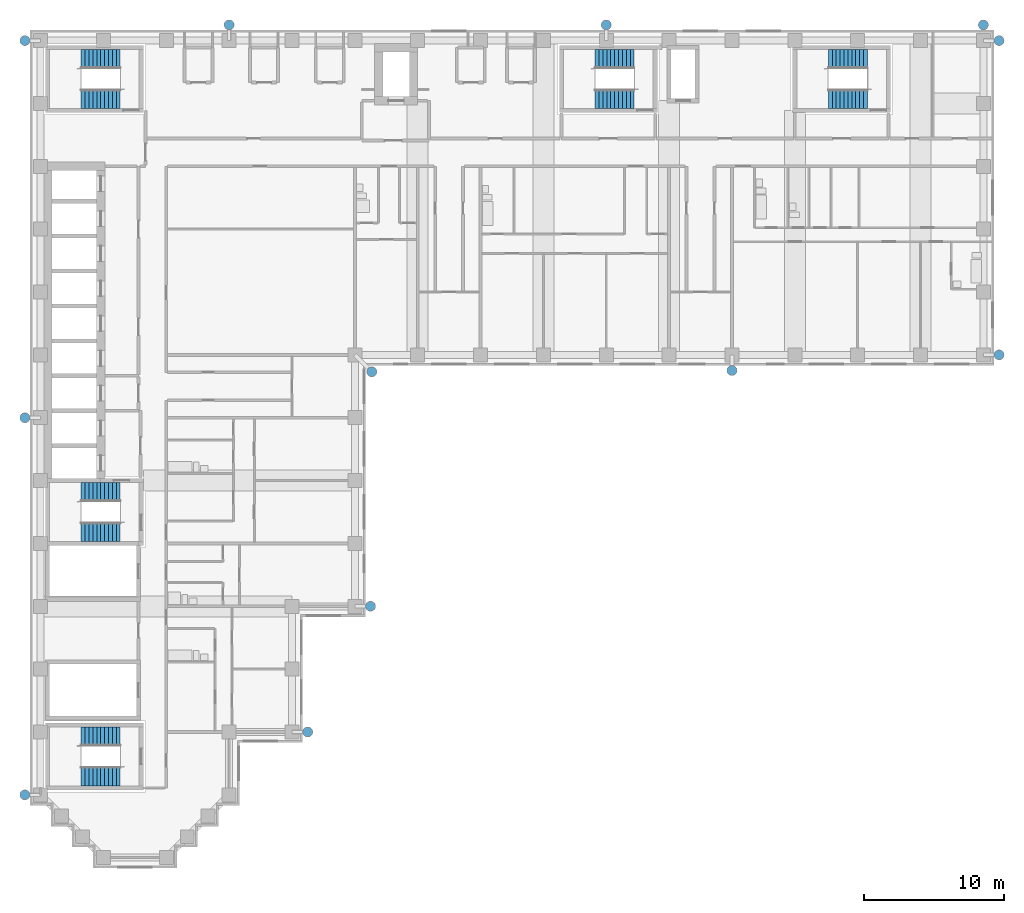
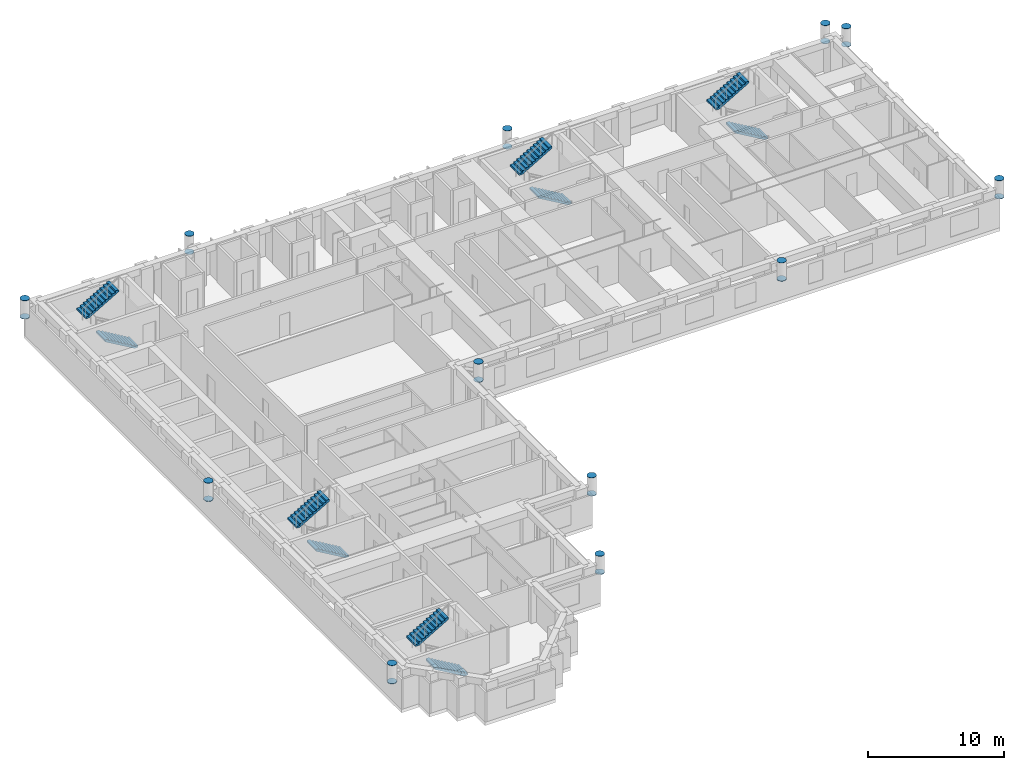
# One storey, part 13 of 15: 24 discrete accessories, 10 stair flights, 5 elements without a shape of their own.
"""IFC4 building model written with IfcOpenShell, lengths in metres."""

from ifc_helpers import new_model, si_unit, direction, frame, origin, origin_2d, place, context, subcontext, project, spatial, polyline, circle, outline, extrude, material, material_profile, profile_set, type_object, element, aggregate, save


model = new_model("IFC4")

# Units and contexts
model_context = context("Model", 3, precision=1e-05, world=origin(), true_north=direction((0.0, 1.0)))
body_context = subcontext(model_context, "Body", "Model", "MODEL_VIEW")
ifc_project = project(units=[si_unit("LENGTHUNIT", "METRE"), si_unit("AREAUNIT", "SQUARE_METRE"), si_unit("VOLUMEUNIT", "CUBIC_METRE"), si_unit("PLANEANGLEUNIT", "RADIAN"), si_unit("MASSUNIT", "GRAM", prefix="KILO")], contexts=[model_context])

# Site, building, storey
site_placement = place(None, origin())
site = spatial("IfcSite", under=ifc_project, at=site_placement, CompositionType="ELEMENT")
building_placement = place(site_placement, origin())
building = spatial("IfcBuilding", under=site, at=building_placement, Name="Firuza Court", CompositionType="ELEMENT")
storey_placement = place(building_placement, frame((0.0, 0.0, 137.60009765625)))
storey = spatial("IfcBuildingStorey", under=building, at=storey_placement, Name="L34", CompositionType="ELEMENT", Elevation=137.60009765625)

# Stair, stair flights
ifc_material_1 = material(Name="Concrete C40/50 precast", Category="concrete")
stair_type = type_object("IfcStairType", Name="Stair 1350 x 3600 2 flights", PredefinedType="HALF_TURN_STAIR", material=ifc_material_1)
stair_1_placement = place(storey_placement, origin())
stair_1 = element("IfcStair", 1, at=stair_1_placement, inside=storey, type_object=stair_type, Name="Stair 1 L34", PredefinedType="HALF_TURN_STAIR")
ifc_material_2 = material(Name="Concrete C40/50 precast", Category="concrete")
stair_flight_type = type_object("IfcStairFlightType", Name="Flight 1350 riser 163.6", PredefinedType="STRAIGHT", material=ifc_material_2)
stair_flight_1_placement = place(storey_placement, frame((42.5, 54.324951171875, 0.0), z_axis=(0.0, 0.0, 1.0), x_axis=(-1.0, 0.0, 0.0)))
stair_flight_1 = element("IfcStairFlight", 2, at=stair_flight_1_placement, type_object=stair_flight_type, Name="S1 flight 1", NumberOfRisers=11, NumberOfTreads=10, PredefinedType="STRAIGHT", RiserHeight=0.163636364, TreadLength=0.28, context=body_context, shape_type="SweptSolid", body=[
    extrude(outline(polyline([(0.0, 0.0), (0.0, 0.16357421875), (0.280029296875, 0.16357421875), (0.280029296875, 0.327392578125), (0.56005859375, 0.327392578125), (0.56005859375, 0.490966796875), (0.840087890625, 0.490966796875), (0.840087890625, 0.654541015625), (1.1201171875, 0.654541015625), (1.1201171875, 0.818115234375), (1.39990234375, 0.818115234375), (1.39990234375, 0.98193359375), (1.679931640625, 0.98193359375), (1.679931640625, 1.1455078125), (1.9599609375, 1.1455078125), (1.9599609375, 1.30908203125), (2.239990234375, 1.30908203125), (2.239990234375, 1.47265625), (2.52001953125, 1.47265625), (2.52001953125, 1.636474609375), (2.800048828125, 1.636474609375), (2.800048828125, 1.800048828125), (2.800048828125, 1.462646484375), (0.297119140625, 0.0), (0.0, 0.0)])), frame((0.0, 0.675048828125, 0.0), z_axis=(0.0, -1.0, 0.0), x_axis=(1.0, 0.0, 0.0)), (0.0, 0.0, 1.0), 1.35009765625),
])
stair_flight_2_placement = place(storey_placement, frame((39.699951171875, 57.175048828125, 1.7998046875), z_axis=(0.0, 0.0, 1.0), x_axis=(1.0, 0.0, 0.0)))
stair_flight_2 = element("IfcStairFlight", 3, at=stair_flight_2_placement, type_object=stair_flight_type, Name="S1 flight 2", NumberOfRisers=11, NumberOfTreads=10, PredefinedType="STRAIGHT", RiserHeight=0.163636364, TreadLength=0.28, context=body_context, shape_type="SweptSolid", body=[
    extrude(outline(polyline([(0.0, 0.0), (0.0, 0.16357421875), (0.280029296875, 0.16357421875), (0.280029296875, 0.327392578125), (0.56005859375, 0.327392578125), (0.56005859375, 0.490966796875), (0.840087890625, 0.490966796875), (0.840087890625, 0.654541015625), (1.1201171875, 0.654541015625), (1.1201171875, 0.818115234375), (1.39990234375, 0.818115234375), (1.39990234375, 0.98193359375), (1.679931640625, 0.98193359375), (1.679931640625, 1.1455078125), (1.9599609375, 1.1455078125), (1.9599609375, 1.30908203125), (2.239990234375, 1.30908203125), (2.239990234375, 1.47265625), (2.52001953125, 1.47265625), (2.52001953125, 1.636474609375), (2.800048828125, 1.636474609375), (2.800048828125, 1.800048828125), (2.800048828125, 1.462646484375), (0.297119140625, 0.0), (0.0, 0.0)])), frame((0.0, 0.675048828125, 0.0), z_axis=(0.0, -1.0, 0.0), x_axis=(1.0, 0.0, 0.0)), (0.0, 0.0, 1.0), 1.35009765625),
])
aggregate(stair_1, [stair_flight_1, stair_flight_2])

stair_2_placement = place(storey_placement, origin())
stair_2 = element("IfcStair", 4, at=stair_2_placement, inside=storey, type_object=stair_type, Name="Stair 2 L34", PredefinedType="HALF_TURN_STAIR")
stair_flight_3_placement = place(storey_placement, frame((5.699951171875, 23.324951171875, 0.0), z_axis=(0.0, 0.0, 1.0), x_axis=(-1.0, 0.0, 0.0)))
stair_flight_3 = element("IfcStairFlight", 5, at=stair_flight_3_placement, type_object=stair_flight_type, Name="S2 flight 1", NumberOfRisers=11, NumberOfTreads=10, PredefinedType="STRAIGHT", RiserHeight=0.163636364, TreadLength=0.28, context=body_context, shape_type="SweptSolid", body=[
    extrude(outline(polyline([(0.0, 0.0), (0.0, 0.16357421875), (0.280029296875, 0.16357421875), (0.280029296875, 0.327392578125), (0.56005859375, 0.327392578125), (0.56005859375, 0.490966796875), (0.840087890625, 0.490966796875), (0.840087890625, 0.654541015625), (1.1201171875, 0.654541015625), (1.1201171875, 0.818115234375), (1.39990234375, 0.818115234375), (1.39990234375, 0.98193359375), (1.679931640625, 0.98193359375), (1.679931640625, 1.1455078125), (1.9599609375, 1.1455078125), (1.9599609375, 1.30908203125), (2.239990234375, 1.30908203125), (2.239990234375, 1.47265625), (2.52001953125, 1.47265625), (2.52001953125, 1.636474609375), (2.800048828125, 1.636474609375), (2.800048828125, 1.800048828125), (2.800048828125, 1.462646484375), (0.297119140625, 0.0), (0.0, 0.0)])), frame((0.0, 0.675048828125, 0.0), z_axis=(0.0, -1.0, 0.0), x_axis=(1.0, 0.0, 0.0)), (0.0, 0.0, 1.0), 1.35009765625),
])
stair_flight_4_placement = place(storey_placement, frame((2.89990234375, 26.175048828125, 1.7998046875), z_axis=(0.0, 0.0, 1.0), x_axis=(1.0, 0.0, 0.0)))
stair_flight_4 = element("IfcStairFlight", 6, at=stair_flight_4_placement, type_object=stair_flight_type, Name="S2 flight 2", NumberOfRisers=11, NumberOfTreads=10, PredefinedType="STRAIGHT", RiserHeight=0.163636364, TreadLength=0.28, context=body_context, shape_type="SweptSolid", body=[
    extrude(outline(polyline([(0.0, 0.0), (0.0, 0.16357421875), (0.280029296875, 0.16357421875), (0.280029296875, 0.327392578125), (0.56005859375, 0.327392578125), (0.56005859375, 0.490966796875), (0.840087890625, 0.490966796875), (0.840087890625, 0.654541015625), (1.1201171875, 0.654541015625), (1.1201171875, 0.818115234375), (1.39990234375, 0.818115234375), (1.39990234375, 0.98193359375), (1.679931640625, 0.98193359375), (1.679931640625, 1.1455078125), (1.9599609375, 1.1455078125), (1.9599609375, 1.30908203125), (2.239990234375, 1.30908203125), (2.239990234375, 1.47265625), (2.52001953125, 1.47265625), (2.52001953125, 1.636474609375), (2.800048828125, 1.636474609375), (2.800048828125, 1.800048828125), (2.800048828125, 1.462646484375), (0.297119140625, 0.0), (0.0, 0.0)])), frame((0.0, 0.675048828125, 0.0), z_axis=(0.0, -1.0, 0.0), x_axis=(1.0, 0.0, 0.0)), (0.0, 0.0, 1.0), 1.35009765625),
])
aggregate(stair_2, [stair_flight_3, stair_flight_4])

stair_3_placement = place(storey_placement, origin())
stair_3 = element("IfcStair", 7, at=stair_3_placement, inside=storey, type_object=stair_type, Name="Stair 3 L34", PredefinedType="HALF_TURN_STAIR")
stair_flight_5_placement = place(storey_placement, frame((5.699951171875, 54.324951171875, 0.0), z_axis=(0.0, 0.0, 1.0), x_axis=(-1.0, 0.0, 0.0)))
stair_flight_5 = element("IfcStairFlight", 8, at=stair_flight_5_placement, type_object=stair_flight_type, Name="S3 flight 1", NumberOfRisers=11, NumberOfTreads=10, PredefinedType="STRAIGHT", RiserHeight=0.163636364, TreadLength=0.28, context=body_context, shape_type="SweptSolid", body=[
    extrude(outline(polyline([(0.0, 0.0), (0.0, 0.16357421875), (0.280029296875, 0.16357421875), (0.280029296875, 0.327392578125), (0.56005859375, 0.327392578125), (0.56005859375, 0.490966796875), (0.840087890625, 0.490966796875), (0.840087890625, 0.654541015625), (1.1201171875, 0.654541015625), (1.1201171875, 0.818115234375), (1.39990234375, 0.818115234375), (1.39990234375, 0.98193359375), (1.679931640625, 0.98193359375), (1.679931640625, 1.1455078125), (1.9599609375, 1.1455078125), (1.9599609375, 1.30908203125), (2.239990234375, 1.30908203125), (2.239990234375, 1.47265625), (2.52001953125, 1.47265625), (2.52001953125, 1.636474609375), (2.800048828125, 1.636474609375), (2.800048828125, 1.800048828125), (2.800048828125, 1.462646484375), (0.297119140625, 0.0), (0.0, 0.0)])), frame((0.0, 0.675048828125, 0.0), z_axis=(0.0, -1.0, 0.0), x_axis=(1.0, 0.0, 0.0)), (0.0, 0.0, 1.0), 1.35009765625),
])
stair_flight_6_placement = place(storey_placement, frame((2.89990234375, 57.175048828125, 1.7998046875), z_axis=(0.0, 0.0, 1.0), x_axis=(1.0, 0.0, 0.0)))
stair_flight_6 = element("IfcStairFlight", 9, at=stair_flight_6_placement, type_object=stair_flight_type, Name="S3 flight 2", NumberOfRisers=11, NumberOfTreads=10, PredefinedType="STRAIGHT", RiserHeight=0.163636364, TreadLength=0.28, context=body_context, shape_type="SweptSolid", body=[
    extrude(outline(polyline([(0.0, 0.0), (0.0, 0.16357421875), (0.280029296875, 0.16357421875), (0.280029296875, 0.327392578125), (0.56005859375, 0.327392578125), (0.56005859375, 0.490966796875), (0.840087890625, 0.490966796875), (0.840087890625, 0.654541015625), (1.1201171875, 0.654541015625), (1.1201171875, 0.818115234375), (1.39990234375, 0.818115234375), (1.39990234375, 0.98193359375), (1.679931640625, 0.98193359375), (1.679931640625, 1.1455078125), (1.9599609375, 1.1455078125), (1.9599609375, 1.30908203125), (2.239990234375, 1.30908203125), (2.239990234375, 1.47265625), (2.52001953125, 1.47265625), (2.52001953125, 1.636474609375), (2.800048828125, 1.636474609375), (2.800048828125, 1.800048828125), (2.800048828125, 1.462646484375), (0.297119140625, 0.0), (0.0, 0.0)])), frame((0.0, 0.675048828125, 0.0), z_axis=(0.0, -1.0, 0.0), x_axis=(1.0, 0.0, 0.0)), (0.0, 0.0, 1.0), 1.35009765625),
])
aggregate(stair_3, [stair_flight_5, stair_flight_6])

stair_4_placement = place(storey_placement, origin())
stair_4 = element("IfcStair", 10, at=stair_4_placement, inside=storey, type_object=stair_type, Name="Stair 4 L34", PredefinedType="HALF_TURN_STAIR")
stair_flight_7_placement = place(storey_placement, frame((59.199951171875, 54.324951171875, 0.0), z_axis=(0.0, 0.0, 1.0), x_axis=(-1.0, 0.0, 0.0)))
stair_flight_7 = element("IfcStairFlight", 11, at=stair_flight_7_placement, type_object=stair_flight_type, Name="S4 flight 1", NumberOfRisers=11, NumberOfTreads=10, PredefinedType="STRAIGHT", RiserHeight=0.163636364, TreadLength=0.28, context=body_context, shape_type="SweptSolid", body=[
    extrude(outline(polyline([(0.0, 0.0), (0.0, 0.16357421875), (0.280029296875, 0.16357421875), (0.280029296875, 0.327392578125), (0.56005859375, 0.327392578125), (0.56005859375, 0.490966796875), (0.840087890625, 0.490966796875), (0.840087890625, 0.654541015625), (1.1201171875, 0.654541015625), (1.1201171875, 0.818115234375), (1.39990234375, 0.818115234375), (1.39990234375, 0.98193359375), (1.679931640625, 0.98193359375), (1.679931640625, 1.1455078125), (1.9599609375, 1.1455078125), (1.9599609375, 1.30908203125), (2.239990234375, 1.30908203125), (2.239990234375, 1.47265625), (2.52001953125, 1.47265625), (2.52001953125, 1.636474609375), (2.800048828125, 1.636474609375), (2.800048828125, 1.800048828125), (2.800048828125, 1.462646484375), (0.297119140625, 0.0), (0.0, 0.0)])), frame((0.0, 0.675048828125, 0.0), z_axis=(0.0, -1.0, 0.0), x_axis=(1.0, 0.0, 0.0)), (0.0, 0.0, 1.0), 1.35009765625),
])
stair_flight_8_placement = place(storey_placement, frame((56.39990234375, 57.175048828125, 1.7998046875), z_axis=(0.0, 0.0, 1.0), x_axis=(1.0, 0.0, 0.0)))
stair_flight_8 = element("IfcStairFlight", 12, at=stair_flight_8_placement, type_object=stair_flight_type, Name="S4 flight 2", NumberOfRisers=11, NumberOfTreads=10, PredefinedType="STRAIGHT", RiserHeight=0.163636364, TreadLength=0.28, context=body_context, shape_type="SweptSolid", body=[
    extrude(outline(polyline([(0.0, 0.0), (0.0, 0.16357421875), (0.280029296875, 0.16357421875), (0.280029296875, 0.327392578125), (0.56005859375, 0.327392578125), (0.56005859375, 0.490966796875), (0.840087890625, 0.490966796875), (0.840087890625, 0.654541015625), (1.1201171875, 0.654541015625), (1.1201171875, 0.818115234375), (1.39990234375, 0.818115234375), (1.39990234375, 0.98193359375), (1.679931640625, 0.98193359375), (1.679931640625, 1.1455078125), (1.9599609375, 1.1455078125), (1.9599609375, 1.30908203125), (2.239990234375, 1.30908203125), (2.239990234375, 1.47265625), (2.52001953125, 1.47265625), (2.52001953125, 1.636474609375), (2.800048828125, 1.636474609375), (2.800048828125, 1.800048828125), (2.800048828125, 1.462646484375), (0.297119140625, 0.0), (0.0, 0.0)])), frame((0.0, 0.675048828125, 0.0), z_axis=(0.0, -1.0, 0.0), x_axis=(1.0, 0.0, 0.0)), (0.0, 0.0, 1.0), 1.35009765625),
])
aggregate(stair_4, [stair_flight_7, stair_flight_8])

stair_5_placement = place(storey_placement, origin())
stair_5 = element("IfcStair", 13, at=stair_5_placement, inside=storey, type_object=stair_type, Name="Stair 5 L34", PredefinedType="HALF_TURN_STAIR")
stair_flight_9_placement = place(storey_placement, frame((5.699951171875, 5.824951171875, 0.0), z_axis=(0.0, 0.0, 1.0), x_axis=(-1.0, 0.0, 0.0)))
stair_flight_9 = element("IfcStairFlight", 14, at=stair_flight_9_placement, type_object=stair_flight_type, Name="S5 flight 1", NumberOfRisers=11, NumberOfTreads=10, PredefinedType="STRAIGHT", RiserHeight=0.163636364, TreadLength=0.28, context=body_context, shape_type="SweptSolid", body=[
    extrude(outline(polyline([(0.0, 0.0), (0.0, 0.16357421875), (0.280029296875, 0.16357421875), (0.280029296875, 0.327392578125), (0.56005859375, 0.327392578125), (0.56005859375, 0.490966796875), (0.840087890625, 0.490966796875), (0.840087890625, 0.654541015625), (1.1201171875, 0.654541015625), (1.1201171875, 0.818115234375), (1.39990234375, 0.818115234375), (1.39990234375, 0.98193359375), (1.679931640625, 0.98193359375), (1.679931640625, 1.1455078125), (1.9599609375, 1.1455078125), (1.9599609375, 1.30908203125), (2.239990234375, 1.30908203125), (2.239990234375, 1.47265625), (2.52001953125, 1.47265625), (2.52001953125, 1.636474609375), (2.800048828125, 1.636474609375), (2.800048828125, 1.800048828125), (2.800048828125, 1.462646484375), (0.297119140625, 0.0), (0.0, 0.0)])), frame((0.0, 0.675048828125, 0.0), z_axis=(0.0, -1.0, 0.0), x_axis=(1.0, 0.0, 0.0)), (0.0, 0.0, 1.0), 1.35009765625),
])
stair_flight_10_placement = place(storey_placement, frame((2.89990234375, 8.675048828125, 1.7998046875), z_axis=(0.0, 0.0, 1.0), x_axis=(1.0, 0.0, 0.0)))
stair_flight_10 = element("IfcStairFlight", 15, at=stair_flight_10_placement, type_object=stair_flight_type, Name="S5 flight 2", NumberOfRisers=11, NumberOfTreads=10, PredefinedType="STRAIGHT", RiserHeight=0.163636364, TreadLength=0.28, context=body_context, shape_type="SweptSolid", body=[
    extrude(outline(polyline([(0.0, 0.0), (0.0, 0.16357421875), (0.280029296875, 0.16357421875), (0.280029296875, 0.327392578125), (0.56005859375, 0.327392578125), (0.56005859375, 0.490966796875), (0.840087890625, 0.490966796875), (0.840087890625, 0.654541015625), (1.1201171875, 0.654541015625), (1.1201171875, 0.818115234375), (1.39990234375, 0.818115234375), (1.39990234375, 0.98193359375), (1.679931640625, 0.98193359375), (1.679931640625, 1.1455078125), (1.9599609375, 1.1455078125), (1.9599609375, 1.30908203125), (2.239990234375, 1.30908203125), (2.239990234375, 1.47265625), (2.52001953125, 1.47265625), (2.52001953125, 1.636474609375), (2.800048828125, 1.636474609375), (2.800048828125, 1.800048828125), (2.800048828125, 1.462646484375), (0.297119140625, 0.0), (0.0, 0.0)])), frame((0.0, 0.675048828125, 0.0), z_axis=(0.0, -1.0, 0.0), x_axis=(1.0, 0.0, 0.0)), (0.0, 0.0, 1.0), 1.35009765625),
])
aggregate(stair_5, [stair_flight_9, stair_flight_10])

# Discrete accessories
ifc_material_3 = material(Name="Steel S355", Category="steel")
ifc_material_profile = material_profile(ifc_material_3, circle(Radius=0.35546875, at=origin_2d()), Name="PL D711")
ifc_profile_set = profile_set([ifc_material_profile], Name="Steel S355")
discrete_accessory_type = type_object("IfcDiscreteAccessoryType", Name="DIAGRID NODE END PLATE", PredefinedType="NOTDEFINED", material=ifc_profile_set)
for number, where, z_axis, x_axis, name in (
    (16, (-1.1201171875, 4.5, 3.849853515625), (0.0, 0.0, 1.0), (1.0, 0.0, 0.0), "Diagrid node end plate level L34"),
    (17, (-1.1201171875, 4.5, 2.219970703125), (0.0, 0.0, 1.0), (1.0, 0.0, 0.0), "Diagrid node end plate level L34"),
    (18, (-1.1201171875, 31.5, 3.849853515625), (0.0, 0.0, 1.0), (1.0, 0.0, 0.0), "Diagrid node end plate level L34"),
    (19, (-1.1201171875, 31.5, 2.219970703125), (0.0, 0.0, 1.0), (1.0, 0.0, 0.0), "Diagrid node end plate level L34"),
    (20, (-1.1201171875, 58.5, 3.849853515625), (0.0, 0.0, 1.0), (1.0, 0.0, 0.0), "Diagrid node end plate level L34"),
    (21, (-1.1201171875, 58.5, 2.219970703125), (0.0, 0.0, 1.0), (1.0, 0.0, 0.0), "Diagrid node end plate level L34"),
    (22, (13.5, 59.6201171875, 3.849853515625), (0.0, 0.0, 1.0), (1.0, 0.0, 0.0), "Diagrid node end plate level L34"),
    (23, (13.5, 59.6201171875, 2.219970703125), (0.0, 0.0, 1.0), (1.0, 0.0, 0.0), "Diagrid node end plate level L34"),
    (24, (19.1201171875, 9.0, 3.849853515625), (0.0, 0.0, 1.0), (1.0, 0.0, 0.0), "Diagrid node end plate level L34"),
    (25, (19.1201171875, 9.0, 2.219970703125), (0.0, 0.0, 1.0), (1.0, 0.0, 0.0), "Diagrid node end plate level L34"),
    (26, (23.6201171875, 18.0, 3.849853515625), (0.0, 0.0, 1.0), (1.0, 0.0, 0.0), "Diagrid node end plate level L34"),
    (27, (23.6201171875, 18.0, 2.219970703125), (0.0, 0.0, 1.0), (1.0, 0.0, 0.0), "Diagrid node end plate level L34"),
    (28, (23.7099609375, 34.7900390625, 3.849853515625), (0.0, 0.0, 1.0), (1.0, 0.0, 0.0), "Diagrid node end plate level L34"),
    (29, (23.7099609375, 34.7900390625, 2.219970703125), (0.0, 0.0, 1.0), (1.0, 0.0, 0.0), "Diagrid node end plate level L34"),
    (30, (40.5, 59.6201171875, 3.849853515625), (0.0, 0.0, 1.0), (1.0, 0.0, 0.0), "Diagrid node end plate level L34"),
    (31, (40.5, 59.6201171875, 2.219970703125), (0.0, 0.0, 1.0), (1.0, 0.0, 0.0), "Diagrid node end plate level L34"),
    (32, (49.5, 34.8798828125, 3.849853515625), (0.0, 0.0, 1.0), (1.0, 0.0, 0.0), "Diagrid node end plate level L34"),
    (33, (49.5, 34.8798828125, 2.219970703125), (0.0, 0.0, 1.0), (1.0, 0.0, 0.0), "Diagrid node end plate level L34"),
    (34, (67.5, 59.6201171875, 3.849853515625), (0.0, 0.0, 1.0), (1.0, 0.0, 0.0), "Diagrid node end plate level L34"),
    (35, (67.5, 59.6201171875, 2.219970703125), (0.0, 0.0, 1.0), (1.0, 0.0, 0.0), "Diagrid node end plate level L34"),
    (36, (68.6201171875, 36.0, 3.849853515625), (0.0, 0.0, 1.0), (1.0, 0.0, 0.0), "Diagrid node end plate level L34"),
    (37, (68.6201171875, 36.0, 2.219970703125), (0.0, 0.0, 1.0), (1.0, 0.0, 0.0), "Diagrid node end plate level L34"),
    (38, (68.6201171875, 58.5, 3.849853515625), (0.0, 0.0, 1.0), (1.0, 0.0, 0.0), "Diagrid node end plate level L34"),
    (39, (68.6201171875, 58.5, 2.219970703125), (0.0, 0.0, 1.0), (1.0, 0.0, 0.0), "Diagrid node end plate level L34"),
):
    element("IfcDiscreteAccessory", number, at=place(storey_placement, frame(where, z_axis=z_axis, x_axis=x_axis)), inside=storey, type_object=discrete_accessory_type, Name=name, PredefinedType="NOTDEFINED", context=body_context, shape_type="SweptSolid", body=[
        extrude(circle(Radius=0.35546875, at=origin_2d()), origin(), (0.0, 0.0, 1.0), 0.030029296875),
    ])

save(model, "model.ifc")
